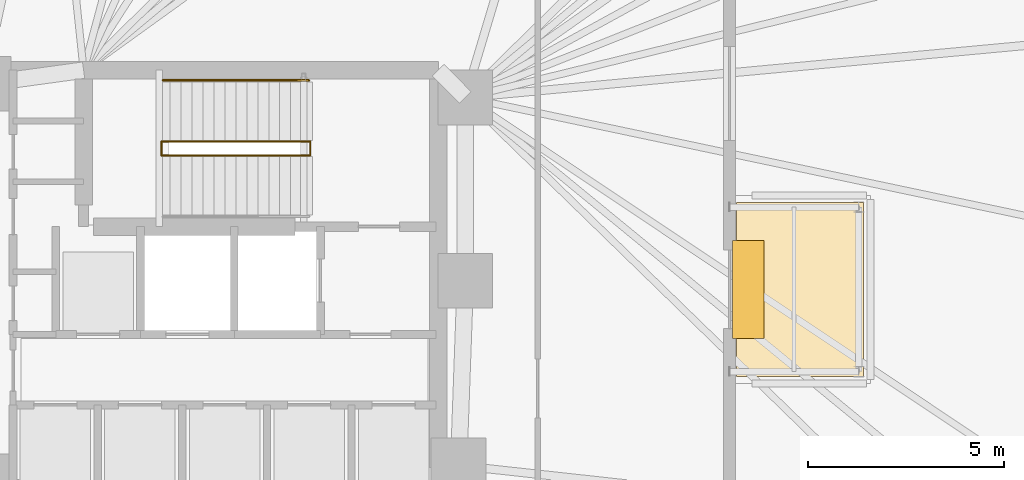
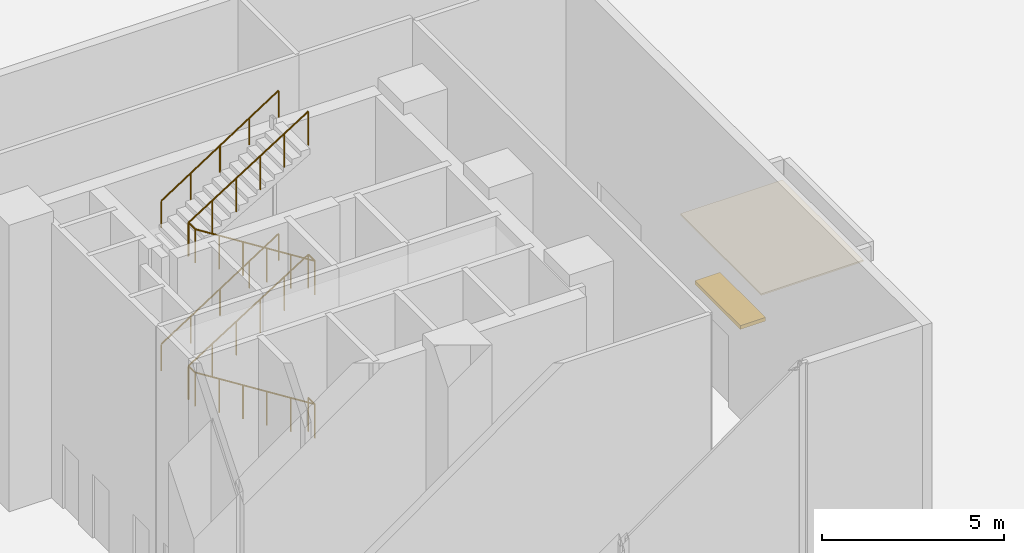
# One storey, part 23 of 24: 4 railings, 1 covering, 1 shading device.
"""IFC4 building model written with IfcOpenShell, lengths in metres."""

from ifc_helpers import new_model, si_unit, direction, frame, origin, origin_2d, place, context, subcontext, project, spatial, polyline, rectangle, circle, outline, extrude, material, layer, layer_set, type_object, element, save


model = new_model("IFC4")

# Units and contexts
model_context = context("Model", 3, precision=1e-05, world=origin(), true_north=direction((0.0, 1.0)))
body_context = subcontext(model_context, "Body", "Model", "MODEL_VIEW")
ifc_project = project(units=[si_unit("LENGTHUNIT", "METRE"), si_unit("AREAUNIT", "SQUARE_METRE"), si_unit("VOLUMEUNIT", "CUBIC_METRE"), si_unit("PLANEANGLEUNIT", "RADIAN"), si_unit("MASSUNIT", "GRAM", prefix="KILO")], contexts=[model_context])

# Site, building, storey
site_placement = place(None, origin())
site = spatial("IfcSite", under=ifc_project, at=site_placement, CompositionType="ELEMENT")
building_placement = place(site_placement, origin())
building = spatial("IfcBuilding", under=site, at=building_placement, Name="Menara Jurai Vektor", CompositionType="ELEMENT")
storey_placement = place(building_placement, origin())
storey = spatial("IfcBuildingStorey", under=building, at=storey_placement, Name="L00", CompositionType="ELEMENT", Elevation=0.0)

# Covering
ifc_material_1 = material(Name="Insulated Pale Metal Standing-Seam Roofing", Category="aluminium")
ifc_layer = layer(ifc_material_1, 0.050048828125)
ifc_layer_set = layer_set([ifc_layer], Name="Insulated Pale Metal Standing-Seam Roofing")
covering_type = type_object("IfcCoveringType", Name="ENV-COV-ROOFING", PredefinedType="ROOFING", material=ifc_layer_set)
covering_placement = place(storey_placement, frame((0.0, 0.0, 4.3798828125)))
element("IfcCovering", 1, at=covering_placement, inside=storey, type_object=covering_type, Name="Entrance Canopy Standing-Seam Roofing E6", PredefinedType="ROOFING", context=body_context, shape_type="SweptSolid", body=[
    extrude(outline(polyline([(25.419921875, 2.219970703125), (22.179931640625, 2.219970703125), (22.179931640625, -2.219970703125), (25.419921875, -2.219970703125), (25.419921875, 2.219970703125)])), origin(), (0.0, 0.0, 1.0), 0.050048828125),
])

# Shading device
ifc_material_2 = material(Name="Anodised Pale Aluminium Sunshade Blade", Category="aluminium")
shading_device_type = type_object("IfcShadingDeviceType", Name="ENV-SHD-SUNSHADE", PredefinedType="USERDEFINED", material=ifc_material_2)
shading_device_placement = place(storey_placement, frame((22.47998046875, 0.0, 2.68994140625), z_axis=(0.0, 0.0, 1.0), x_axis=(0.0, 1.0, 0.0)))
element("IfcShadingDevice", 2, at=shading_device_placement, inside=storey, type_object=shading_device_type, Name="Doorway Pale-Metal Sunshade L00-E6", ObjectType="SUNSHADE", PredefinedType="USERDEFINED", context=body_context, shape_type="SweptSolid", body=[
    extrude(rectangle(XDim=2.5, YDim=0.800048828125, at=origin_2d()), origin(), (0.0, 0.0, 1.0), 0.1201171875),
])

# Railings
ifc_material_3 = material(Name="Painted Galvanised Steel Balustrade", Category="steel")
railing_type_1 = type_object("IfcRailingType", Name="RAIL-STAIR-GUARD", PredefinedType="GUARDRAIL", material=ifc_material_3)
railing_1_placement = place(storey_placement, frame((11.2900390625, 3.780029296875, 0.0)))
element("IfcRailing", 3, at=railing_1_placement, inside=storey, type_object=railing_type_1, Name="ST2 Stair Guardrail 1 L00", PredefinedType="GUARDRAIL", context=body_context, shape_type="SweptSolid", body=[
    extrude(circle(Radius=0.02392578125, at=origin_2d()), frame((0.0, 0.0, 1.1259765625), z_axis=(0.0, -1.0, 0.0), x_axis=(1.0, 0.0, 0.0)), (0.0, 0.0, 1.0), 0.360107421875),
    extrude(circle(Radius=0.02392578125, at=origin_2d()), frame((0.0, -0.360107421875, 1.1259765625), z_axis=(-0.845501810675, 0.0, 0.533972553738), x_axis=(0.0, -1.0, 0.0)), (0.0, 0.0, 1.0), 4.494384765625),
    extrude(circle(Radius=0.02392578125, at=origin_2d()), frame((-3.800048828125, -0.360107421875, 3.52587890625), z_axis=(0.0, 1.0, 0.0), x_axis=(-1.0, 0.0, 0.0)), (0.0, 0.0, 1.0), 0.360107421875),
    extrude(circle(Radius=0.02392578125, at=origin_2d()), frame((-3.800048828125, 0.0, 3.52587890625), z_axis=(0.845477286066, 0.0, 0.534011384473), x_axis=(0.0, 1.0, 0.0)), (0.0, 0.0, 1.0), 4.49462890625),
    extrude(circle(Radius=0.02099609375, at=origin_2d()), origin(), (0.0, 0.0, 1.0), 1.101806640625),
    extrude(circle(Radius=0.02099609375, at=origin_2d()), frame((0.0, -0.360107421875, 0.0)), (0.0, 0.0, 1.0), 1.101806640625),
    extrude(circle(Radius=0.02099609375, at=origin_2d()), frame((-0.760009765625, -0.360107421875, 0.47998046875)), (0.0, 0.0, 1.0), 1.101806640625),
    extrude(circle(Radius=0.02099609375, at=origin_2d()), frame((-1.52001953125, -0.360107421875, 0.9599609375)), (0.0, 0.0, 1.0), 1.101806640625),
    extrude(circle(Radius=0.02099609375, at=origin_2d()), frame((-2.280029296875, -0.360107421875, 1.43994140625)), (0.0, 0.0, 1.0), 1.101806640625),
    extrude(circle(Radius=0.02099609375, at=origin_2d()), frame((-3.0400390625, -0.360107421875, 1.919921875)), (0.0, 0.0, 1.0), 1.101806640625),
    extrude(circle(Radius=0.02099609375, at=origin_2d()), frame((-3.800048828125, -0.360107421875, 2.39990234375)), (0.0, 0.0, 1.0), 1.101806640625),
    extrude(circle(Radius=0.02099609375, at=origin_2d()), frame((-3.800048828125, 0.0, 2.39990234375)), (0.0, 0.0, 1.0), 1.101806640625),
    extrude(circle(Radius=0.02099609375, at=origin_2d()), frame((-3.0400390625, 0.0, 2.8798828125)), (0.0, 0.0, 1.0), 1.101806640625),
    extrude(circle(Radius=0.02099609375, at=origin_2d()), frame((-2.280029296875, 0.0, 3.35986328125)), (0.0, 0.0, 1.0), 1.101806640625),
    extrude(circle(Radius=0.02099609375, at=origin_2d()), frame((-1.52001953125, 0.0, 3.840087890625)), (0.0, 0.0, 1.0), 1.101806640625),
    extrude(circle(Radius=0.02099609375, at=origin_2d()), frame((-0.760009765625, 0.0, 4.320068359375)), (0.0, 0.0, 1.0), 1.101806640625),
    extrude(circle(Radius=0.02099609375, at=origin_2d()), frame((0.0, 0.0, 4.800048828125)), (0.0, 0.0, 1.0), 1.101806640625),
])
railing_2_placement = place(storey_placement, frame((11.2900390625, 3.780029296875, 4.800048828125)))
element("IfcRailing", 4, at=railing_2_placement, inside=storey, type_object=railing_type_1, Name="ST2 Stair Guardrail 2 L00", PredefinedType="GUARDRAIL", context=body_context, shape_type="SweptSolid", body=[
    extrude(circle(Radius=0.02392578125, at=origin_2d()), frame((0.0, 0.0, 1.1259765625), z_axis=(0.0, -1.0, 0.0), x_axis=(1.0, 0.0, 0.0)), (0.0, 0.0, 1.0), 0.360107421875),
    extrude(circle(Radius=0.02392578125, at=origin_2d()), frame((0.0, -0.360107421875, 1.1259765625), z_axis=(-0.845501810675, 0.0, 0.533972553738), x_axis=(0.0, -1.0, 0.0)), (0.0, 0.0, 1.0), 4.494384765625),
    extrude(circle(Radius=0.02392578125, at=origin_2d()), frame((-3.800048828125, -0.360107421875, 3.52587890625), z_axis=(0.0, 1.0, 0.0), x_axis=(-1.0, 0.0, 0.0)), (0.0, 0.0, 1.0), 0.360107421875),
    extrude(circle(Radius=0.02392578125, at=origin_2d()), frame((-3.800048828125, 0.0, 3.52587890625), z_axis=(0.845477286066, 0.0, 0.534011384473), x_axis=(0.0, 1.0, 0.0)), (0.0, 0.0, 1.0), 4.49462890625),
    extrude(circle(Radius=0.02099609375, at=origin_2d()), origin(), (0.0, 0.0, 1.0), 1.101806640625),
    extrude(circle(Radius=0.02099609375, at=origin_2d()), frame((0.0, -0.360107421875, 0.0)), (0.0, 0.0, 1.0), 1.101806640625),
    extrude(circle(Radius=0.02099609375, at=origin_2d()), frame((-0.760009765625, -0.360107421875, 0.47998046875)), (0.0, 0.0, 1.0), 1.101806640625),
    extrude(circle(Radius=0.02099609375, at=origin_2d()), frame((-1.52001953125, -0.360107421875, 0.9599609375)), (0.0, 0.0, 1.0), 1.101806640625),
    extrude(circle(Radius=0.02099609375, at=origin_2d()), frame((-2.280029296875, -0.360107421875, 1.43994140625)), (0.0, 0.0, 1.0), 1.101806640625),
    extrude(circle(Radius=0.02099609375, at=origin_2d()), frame((-3.0400390625, -0.360107421875, 1.919921875)), (0.0, 0.0, 1.0), 1.101806640625),
    extrude(circle(Radius=0.02099609375, at=origin_2d()), frame((-3.800048828125, -0.360107421875, 2.39990234375)), (0.0, 0.0, 1.0), 1.101806640625),
    extrude(circle(Radius=0.02099609375, at=origin_2d()), frame((-3.800048828125, 0.0, 2.39990234375)), (0.0, 0.0, 1.0), 1.101806640625),
    extrude(circle(Radius=0.02099609375, at=origin_2d()), frame((-3.0400390625, 0.0, 2.8798828125)), (0.0, 0.0, 1.0), 1.101806640625),
    extrude(circle(Radius=0.02099609375, at=origin_2d()), frame((-2.280029296875, 0.0, 3.35986328125)), (0.0, 0.0, 1.0), 1.101806640625),
    extrude(circle(Radius=0.02099609375, at=origin_2d()), frame((-1.52001953125, 0.0, 3.840087890625)), (0.0, 0.0, 1.0), 1.101806640625),
    extrude(circle(Radius=0.02099609375, at=origin_2d()), frame((-0.760009765625, 0.0, 4.320068359375)), (0.0, 0.0, 1.0), 1.101806640625),
    extrude(circle(Radius=0.02099609375, at=origin_2d()), frame((0.0, 0.0, 4.800048828125)), (0.0, 0.0, 1.0), 1.101806640625),
])
ifc_material_4 = material(Name="Brushed Stainless Steel Handrail", Category="steel")
railing_type_2 = type_object("IfcRailingType", Name="RAIL-STAIR-HAND", PredefinedType="HANDRAIL", material=ifc_material_4)
for number, where, name in (
    (5, (7.530029296875, 5.340087890625, 2.39990234375), "ST2 Stair Handrail 2 L00"),
    (6, (7.530029296875, 5.340087890625, 7.199951171875), "ST2 Stair Handrail 4 L00"),
):
    element("IfcRailing", number, at=place(storey_placement, frame(where)), inside=storey, type_object=railing_type_2, Name=name, PredefinedType="HANDRAIL", context=body_context, shape_type="SweptSolid", body=[
        extrude(circle(Radius=0.02392578125, at=origin_2d()), frame((0.0, 0.0, 0.89599609375), z_axis=(0.840279629535, 0.0, 0.542153247881), x_axis=(0.0, 1.0, 0.0)), (0.0, 0.0, 1.0), 4.427001953125),
        extrude(circle(Radius=0.02099609375, at=origin_2d()), origin(), (0.0, 0.0, 1.0), 0.871826171875),
        extrude(circle(Radius=0.02099609375, at=origin_2d()), frame((0.929931640625, 0.0, 0.60009765625)), (0.0, 0.0, 1.0), 0.871826171875),
        extrude(circle(Radius=0.02099609375, at=origin_2d()), frame((1.85986328125, 0.0, 1.2001953125)), (0.0, 0.0, 1.0), 0.871826171875),
        extrude(circle(Radius=0.02099609375, at=origin_2d()), frame((2.7900390625, 0.0, 1.800048828125)), (0.0, 0.0, 1.0), 0.871826171875),
        extrude(circle(Radius=0.02099609375, at=origin_2d()), frame((3.719970703125, 0.0, 2.400146484375)), (0.0, 0.0, 1.0), 0.871826171875),
    ])

save(model, "model.ifc")
